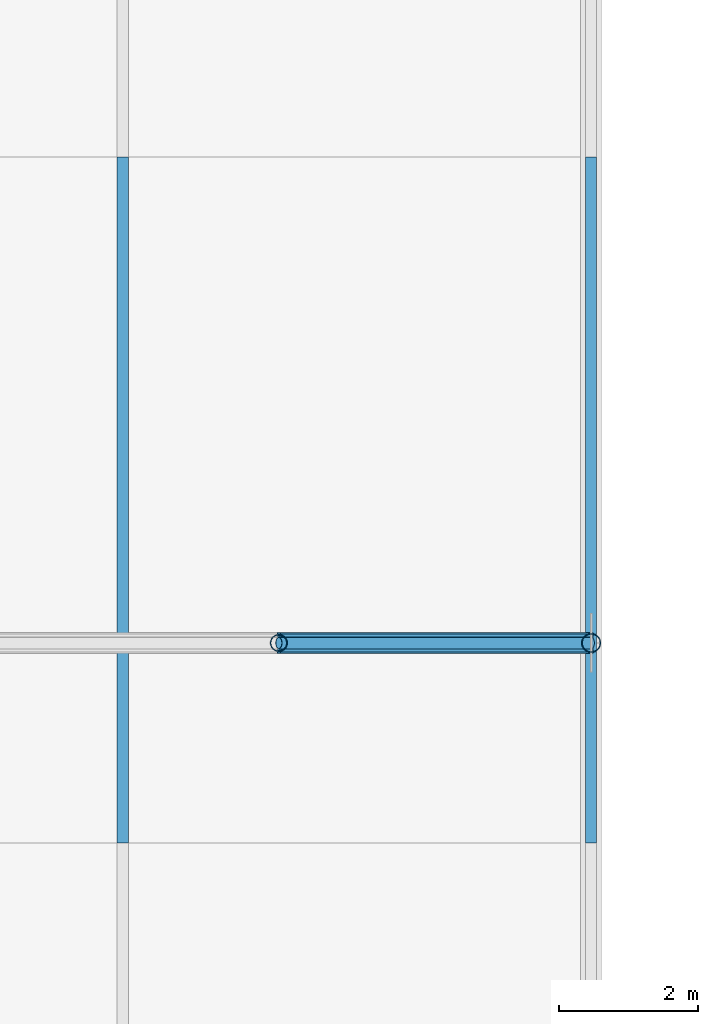
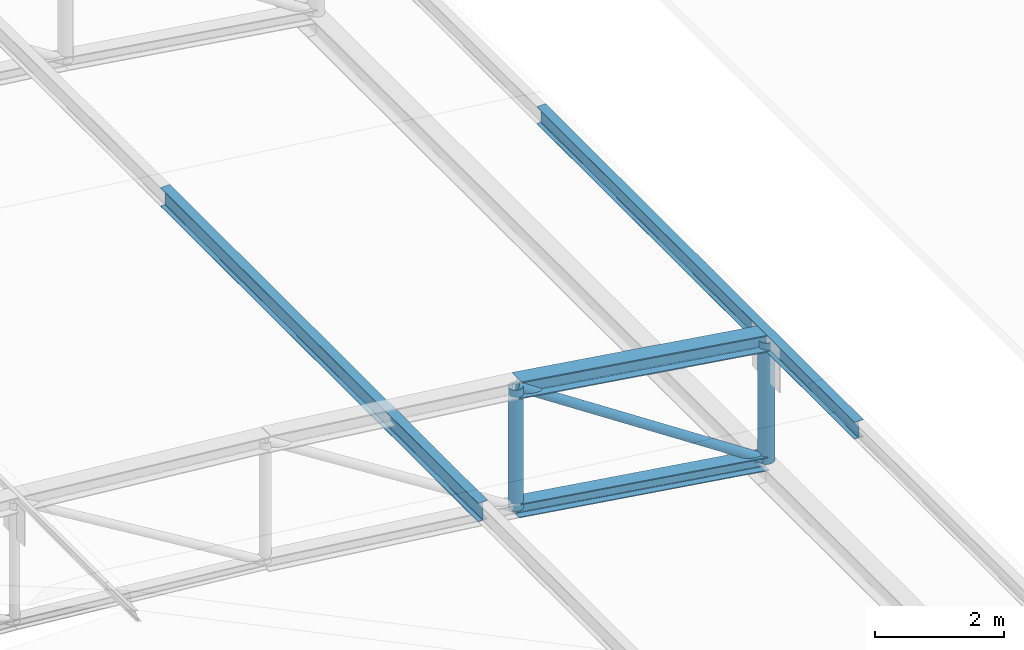
# One storey, part 167 of 262: 7 members.
"""IFC4 building model written with IfcOpenShell, lengths in metres."""

from ifc_helpers import new_model, si_unit, derived_unit, direction, frame, origin, origin_2d, place, context, subcontext, project, spatial, hollow_circle, i_section, extrude, material, material_profile, profile_set, type_object, element, save


model = new_model("IFC4")

# Units and contexts
model_context = context("Model", 3, precision=1e-05, world=origin(), true_north=direction((0.0, 1.0)))
body_context = subcontext(model_context, "Body", "Model", "MODEL_VIEW")
ifc_project = project(units=[si_unit("LENGTHUNIT", "METRE"), si_unit("AREAUNIT", "SQUARE_METRE"), si_unit("VOLUMEUNIT", "CUBIC_METRE"), si_unit("PLANEANGLEUNIT", "RADIAN"), si_unit("MASSUNIT", "GRAM", prefix="KILO"), derived_unit("THERMALTRANSMITTANCEUNIT", [(si_unit("POWERUNIT", "WATT"), 1), (si_unit("LENGTHUNIT", "METRE"), -2), (si_unit("THERMODYNAMICTEMPERATUREUNIT", "KELVIN"), -1)])], contexts=[model_context])

# Site, building, storey
site_placement = place(None, origin())
site = spatial("IfcSite", under=ifc_project, at=site_placement, CompositionType="ELEMENT")
building_placement = place(site_placement, origin())
building = spatial("IfcBuilding", under=site, at=building_placement, Name="Almenara Railside Exhibition Hall", CompositionType="ELEMENT")
storey_placement = place(building_placement, frame((0.0, 0.0, 21.699951171875)))
storey = spatial("IfcBuildingStorey", under=building, at=storey_placement, Name="RF", CompositionType="ELEMENT", Elevation=21.699951171875)

# Members
ifc_material = material(Name="Structural steel S355JR", Category="steel")
ifc_material_profile_1 = material_profile(ifc_material, i_section(OverallWidth=0.260009765625, OverallDepth=0.260009765625, WebThickness=0.010009765625, FlangeThickness=0.017578125, FilletRadius=0.02392578125, at=origin_2d()), Name="HEB 260")
ifc_profile_set_1 = profile_set([ifc_material_profile_1], Name="Structural steel S355JR")
member_type_1 = type_object("IfcMemberType", Name="Arched Truss Bottom Chord HEB 260 S355JR", PredefinedType="CHORD", material=ifc_profile_set_1)
member_1_placement = place(storey_placement, frame((187.5, 76.0, -8.927734375), z_axis=(0.9890290442, 0.0, -0.147721189165), x_axis=(0.0, 1.0, 0.0)))
element("IfcMember", 1, at=member_1_placement, inside=storey, type_object=member_type_1, Name="MEM-BC-V2-03-11", PredefinedType="CHORD", context=body_context, shape_type="SweptSolid", body=[
    extrude(i_section(OverallWidth=0.260009765625, OverallDepth=0.260009765625, WebThickness=0.010009765625, FlangeThickness=0.017578125, FilletRadius=0.02392578125, at=origin_2d()), origin(), (0.0, 0.0, 1.0), 4.5498046875),
])
ifc_material_profile_2 = material_profile(ifc_material, i_section(OverallWidth=0.300048828125, OverallDepth=0.320068359375, WebThickness=0.011474609375, FlangeThickness=0.0205078125, FilletRadius=0.027099609375, at=origin_2d()), Name="HEB 320")
ifc_profile_set_2 = profile_set([ifc_material_profile_2], Name="Structural steel S355JR")
member_type_2 = type_object("IfcMemberType", Name="Arched Truss Top Chord HEB 320 S355JR", PredefinedType="CHORD", material=ifc_profile_set_2)
member_2_placement = place(storey_placement, frame((187.5, 76.0, -6.627685546875), z_axis=(0.989021203369, 0.0, -0.147773675894), x_axis=(0.0, 1.0, 0.0)))
element("IfcMember", 2, at=member_2_placement, inside=storey, type_object=member_type_2, Name="MEM-TC-V2-03-11", PredefinedType="CHORD", context=body_context, shape_type="SweptSolid", body=[
    extrude(i_section(OverallWidth=0.300048828125, OverallDepth=0.320068359375, WebThickness=0.011474609375, FlangeThickness=0.0205078125, FilletRadius=0.027099609375, at=origin_2d()), origin(), (0.0, 0.0, 1.0), 4.550048828125),
])
ifc_material_profile_3 = material_profile(ifc_material, i_section(OverallWidth=0.159912109375, OverallDepth=0.330078125, WebThickness=0.007568359375, FlangeThickness=0.011474609375, FilletRadius=0.01806640625, at=origin_2d()), Name="IPE 330")
ifc_profile_set_3 = profile_set([ifc_material_profile_3], Name="Structural steel S355JR")
member_type_3 = type_object("IfcMemberType", Name="Gable Bay Purlin IPE 330 S355JR", PredefinedType="PURLIN", material=ifc_profile_set_3)
member_3_placement = place(storey_placement, frame((192.0, 73.1201171875, -7.285400390625), z_axis=(0.0, 1.0, 0.0), x_axis=(-1.0, 0.0, 0.0)))
element("IfcMember", 3, at=member_3_placement, inside=storey, type_object=member_type_3, Name="MEM-PR-V2-PR-IPE330-08-13", PredefinedType="PURLIN", context=body_context, shape_type="SweptSolid", body=[
    extrude(i_section(OverallWidth=0.159912109375, OverallDepth=0.330078125, WebThickness=0.007568359375, FlangeThickness=0.011474609375, FilletRadius=0.01806640625, at=origin_2d()), origin(), (0.0, 0.0, 1.0), 9.8798828125),
])
ifc_material_profile_4 = material_profile(ifc_material, i_section(OverallWidth=0.169921875, OverallDepth=0.360107421875, WebThickness=0.008056640625, FlangeThickness=0.0126953125, FilletRadius=0.01806640625, at=origin_2d()), Name="IPE 360")
ifc_profile_set_4 = profile_set([ifc_material_profile_4], Name="Structural steel S355JR")
member_type_4 = type_object("IfcMemberType", Name="Long-Span Scroll Purlin IPE 360 S355JR", PredefinedType="PURLIN", material=ifc_profile_set_4)
member_4_placement = place(storey_placement, frame((185.25, 73.1201171875, -6.47216796875), z_axis=(0.0, 1.0, 0.0), x_axis=(-1.0, 0.0, 0.0)))
element("IfcMember", 4, at=member_4_placement, inside=storey, type_object=member_type_4, Name="MEM-PR-V2-PR-IPE360-07-13", PredefinedType="PURLIN", context=body_context, shape_type="SweptSolid", body=[
    extrude(i_section(OverallWidth=0.169921875, OverallDepth=0.360107421875, WebThickness=0.008056640625, FlangeThickness=0.0126953125, FilletRadius=0.01806640625, at=origin_2d()), origin(), (0.0, 0.0, 1.0), 9.8798828125),
])
ifc_material_profile_5 = material_profile(ifc_material, hollow_circle(Radius=0.084228515625, WallThickness=0.006103515625, at=origin_2d()), Name="CHS 168.3x6")
ifc_profile_set_5 = profile_set([ifc_material_profile_5], Name="Structural steel S355JR")
member_type_5 = type_object("IfcMemberType", Name="Truss End Diagonal CHS 168.3x6 S355JR", PredefinedType="BRACE", material=ifc_profile_set_5)
member_5_placement = place(storey_placement, frame((187.5, 76.0, -6.627685546875), z_axis=(0.834424544227, 0.0, -0.551122200598), x_axis=(0.0, 1.0, 0.0)))
element("IfcMember", 5, at=member_5_placement, inside=storey, type_object=member_type_5, Name="MEM-TD-V2-03-11", PredefinedType="BRACE", context=body_context, shape_type="SweptSolid", body=[
    extrude(hollow_circle(Radius=0.084228515625, WallThickness=0.006103515625, at=origin_2d()), origin(), (0.0, 0.0, 1.0), 5.392822265625),
])
ifc_material_profile_6 = material_profile(ifc_material, hollow_circle(Radius=0.122314453125, WallThickness=0.008056640625, at=origin_2d()), Name="CHS 244.5x8")
ifc_profile_set_6 = profile_set([ifc_material_profile_6], Name="Structural steel S355JR")
member_type_6 = type_object("IfcMemberType", Name="Truss Haunch Vertical Strut CHS 244.5x8 S355JR", PredefinedType="BRACE", material=ifc_profile_set_6)
member_6_placement = place(storey_placement, frame((187.5, 76.0, -8.927734375), z_axis=(0.0, 0.0, 1.0), x_axis=(1.0, 0.0, 0.0)))
element("IfcMember", 6, at=member_6_placement, inside=storey, type_object=member_type_6, Name="MEM-TV-V2-03-11", PredefinedType="BRACE", context=body_context, shape_type="SweptSolid", body=[
    extrude(hollow_circle(Radius=0.122314453125, WallThickness=0.008056640625, at=origin_2d()), origin(), (0.0, 0.0, 1.0), 2.300048828125),
])
ifc_material_profile_7 = material_profile(ifc_material, hollow_circle(Radius=0.136474609375, WallThickness=0.008056640625, at=origin_2d()), Name="CHS 273x8")
ifc_profile_set_7 = profile_set([ifc_material_profile_7], Name="Structural steel S355JR")
member_type_7 = type_object("IfcMemberType", Name="Truss Support Vertical Strut CHS 273x8 S355JR", PredefinedType="BRACE", material=ifc_profile_set_7)
member_7_placement = place(storey_placement, frame((192.0, 76.0, -9.599853515625), z_axis=(0.0, 0.0, 1.0), x_axis=(1.0, 0.0, 0.0)))
element("IfcMember", 7, at=member_7_placement, inside=storey, type_object=member_type_7, Name="MEM-TV-V2-03-12", PredefinedType="BRACE", context=body_context, shape_type="SweptSolid", body=[
    extrude(hollow_circle(Radius=0.136474609375, WallThickness=0.008056640625, at=origin_2d()), origin(), (0.0, 0.0, 1.0), 2.2998046875),
])

save(model, "model.ifc")
